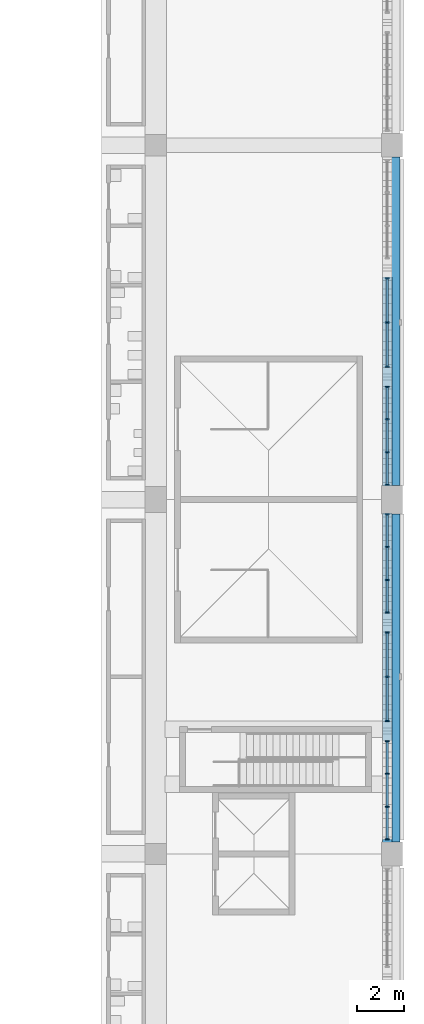
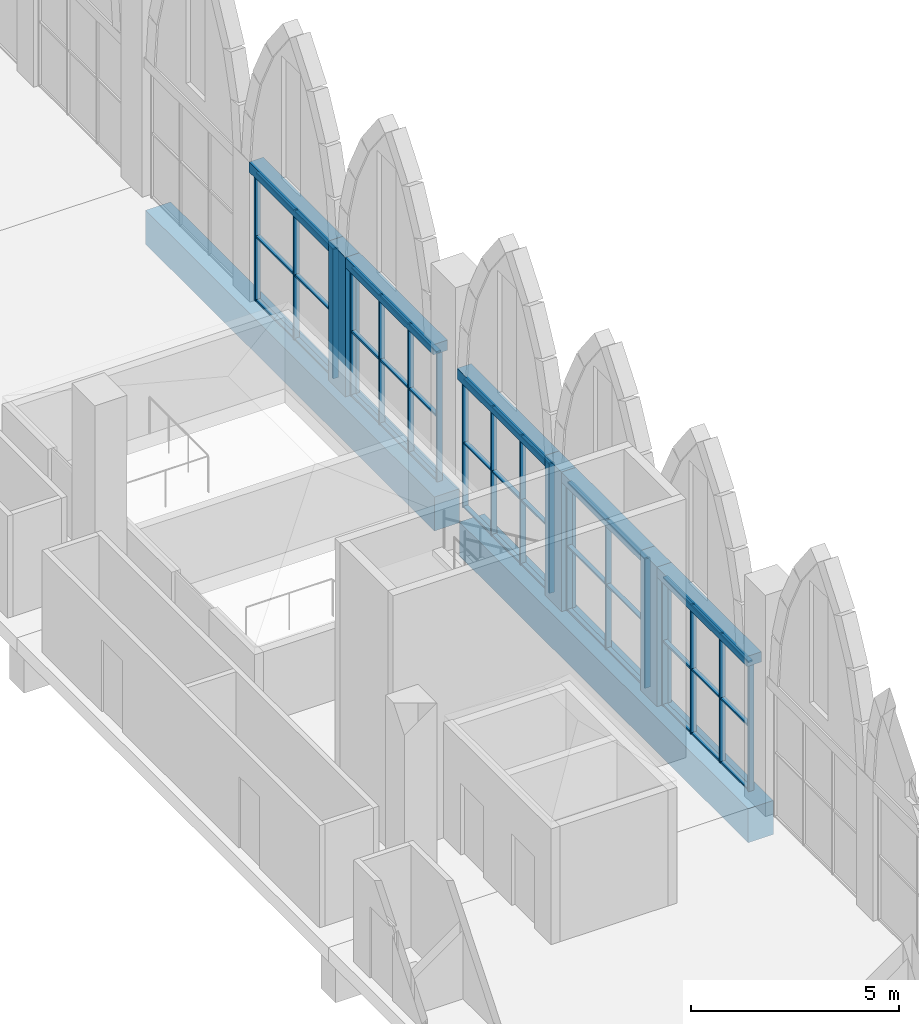
# One storey, part 27 of 130: 60 members, 7 beams, 5 elements without a shape of their own.
"""IFC4 building model written with IfcOpenShell, lengths in metres."""

import ifcopenshell
import ifcopenshell.guid

model = None  # the IFC model being written
_history = None  # IfcOwnerHistory: only IFC2X3 demands one
_inside = {}  # id of a spatial element -> (the spatial element, [elements in it])
_under = {}  # id of a project, library or spatial element -> (it, [spatial elements below it])
_declared = {}  # id of a project -> (the project, [libraries it declares])
_typed = {}  # id of a type object -> (the type object, [elements of that type])
_made_of = {}  # id of a material, layer set ... -> (it, [elements and type objects made of it])


def new_model(schema):
    """Start an empty IFC model of exactly this schema.

    Asked for "IFC4X3", IfcOpenShell would pick the latest addendum, in which some entities
    have other attributes; the version numbers below select the first issue.
    IFC2X3 requires an IfcOwnerHistory on every rooted entity: one is made here for all.
    """
    global model, _history
    if schema == "IFC4X3":
        model = ifcopenshell.file(schema_version=(4, 3, 0, 0))
    else:
        model = ifcopenshell.file(schema=schema)
    _inside.clear()
    _under.clear()
    _declared.clear()
    _typed.clear()
    _made_of.clear()
    _history = None
    if model.schema == "IFC2X3":
        org = make("IfcOrganization", Name="unknown")
        user = make(
            "IfcPersonAndOrganization",
            ThePerson=make("IfcPerson", FamilyName="unknown"),
            TheOrganization=org,
        )
        app = make(
            "IfcApplication",
            ApplicationDeveloper=org,
            Version="unknown",
            ApplicationFullName="unknown",
            ApplicationIdentifier="unknown",
        )
        _history = make(
            "IfcOwnerHistory",
            OwningUser=user,
            OwningApplication=app,
            ChangeAction="ADDED",
            CreationDate=0,
        )
    return model


def make(cls, **values):
    """One entity of the class cls with the attributes given. An attribute that is None is left unset."""
    return model.create_entity(
        cls, **{name: value for name, value in values.items() if value is not None}
    )


def rooted(cls, **values):
    """An entity with a GlobalId (a new one), such as an element, a storey or a relation."""
    return make(cls, GlobalId=ifcopenshell.guid.new(), OwnerHistory=_history, **values)


def si_unit(unit_type, name, prefix=None):
    """IfcSIUnit, for example si_unit("LENGTHUNIT", "METRE", prefix="MILLI")."""
    return make("IfcSIUnit", UnitType=unit_type, Prefix=prefix, Name=name)


def assignment(units):
    """IfcUnitAssignment: the units of a project."""
    return None if units is None else make("IfcUnitAssignment", Units=units)


def point(xyz):
    """IfcCartesianPoint."""
    return None if xyz is None else make("IfcCartesianPoint", Coordinates=xyz)


def direction(xyz):
    """IfcDirection."""
    return None if xyz is None else make("IfcDirection", DirectionRatios=xyz)


def frame(location, z_axis=None, x_axis=None):
    """IfcAxis2Placement3D, a coordinate frame: its origin and axes. An axis left out is left unset."""
    return make(
        "IfcAxis2Placement3D",
        Location=point(location),
        Axis=direction(z_axis),
        RefDirection=direction(x_axis),
    )


def frame_2d(location, x_axis=None):
    """IfcAxis2Placement2D, a coordinate frame in the plane: its origin and x axis."""
    return make(
        "IfcAxis2Placement2D", Location=point(location), RefDirection=direction(x_axis)
    )


def origin():
    """The frame at (0, 0, 0) with its axes left unset."""
    return frame((0.0, 0.0, 0.0))


def origin_2d():
    """The frame at (0, 0) in the plane with its x axis left unset."""
    return frame_2d((0.0, 0.0))


def place(relative_to, where):
    """IfcLocalPlacement: puts the frame where relative to a parent placement (None: the world)."""
    return make(
        "IfcLocalPlacement", PlacementRelTo=relative_to, RelativePlacement=where
    )


def context(
    kind, dimensions, precision=None, world=None, true_north=None, identifier=None
):
    """IfcGeometricRepresentationContext, for example the 3D "Model" context."""
    return make(
        "IfcGeometricRepresentationContext",
        ContextIdentifier=identifier,
        ContextType=kind,
        CoordinateSpaceDimension=dimensions,
        Precision=precision,
        WorldCoordinateSystem=world,
        TrueNorth=true_north,
    )


def subcontext(parent, identifier, kind, view, scale=None):
    """IfcGeometricRepresentationSubContext, for example "Body" below "Model"."""
    return make(
        "IfcGeometricRepresentationSubContext",
        ContextIdentifier=identifier,
        ContextType=kind,
        ParentContext=parent,
        TargetScale=scale,
        TargetView=view,
    )


def project(units=None, contexts=None):
    """IfcProject with its units and contexts."""
    return rooted(
        "IfcProject",
        Name="project",
        RepresentationContexts=contexts,
        UnitsInContext=assignment(units),
    )


def spatial(cls, under=None, at=None, **own):
    """A site, building, storey or space (cls), placed at a placement, below another one or the project."""
    s = rooted(cls, ObjectPlacement=at, **own)
    if under is not None:
        _under.setdefault(under.id(), (under, []))[1].append(s)
    return s


def profile(cls, at=None, kind="AREA", **sizes):
    """A parametric profile (cls). Its sizes go by their IFC names, for example OverallWidth=200.0."""
    return make(cls, ProfileType=kind, Position=at, **sizes)


def rectangle(**sizes):
    """IfcRectangleProfileDef."""
    return profile("IfcRectangleProfileDef", **sizes)


def extrude(swept, where, along, depth):
    """IfcExtrudedAreaSolid: the profile swept, set in the frame where, extruded along a direction by depth."""
    return make(
        "IfcExtrudedAreaSolid",
        SweptArea=swept,
        Position=where,
        ExtrudedDirection=direction(along),
        Depth=depth,
    )


def shape(context_of_items, identifier, shape_type, items):
    """IfcShapeRepresentation: the items that make up one representation, for example the "Body"."""
    return make(
        "IfcShapeRepresentation",
        ContextOfItems=context_of_items,
        RepresentationIdentifier=identifier,
        RepresentationType=shape_type,
        Items=items,
    )


def material(Name=None, Category=None):
    """IfcMaterial."""
    return make("IfcMaterial", Name=Name, Category=Category)


def material_profile(
    of_material, cross_section, Name=None, Category=None, Priority=None
):
    """IfcMaterialProfile: a cross section and its material."""
    return make(
        "IfcMaterialProfile",
        Name=Name,
        Material=of_material,
        Profile=cross_section,
        Priority=Priority,
        Category=Category,
    )


def profile_set(profiles, Name=None, composite=None):
    """IfcMaterialProfileSet."""
    return make(
        "IfcMaterialProfileSet",
        Name=Name,
        MaterialProfiles=profiles,
        CompositeProfile=composite,
    )


def made_of(thing, what):
    """Note that an element or type object is made of a material, layer set ...; save() writes the relation."""
    if what is not None:
        _made_of.setdefault(what.id(), (what, []))[1].append(thing)
    return thing


def type_object(cls, material=None, **own):
    """A type object (cls), such as IfcWallType, which elements share."""
    return made_of(rooted(cls, **own), material)


def element(
    cls,
    number,
    at=None,
    inside=None,
    cuts=None,
    type_object=None,
    material=None,
    context=None,
    identifier="Body",
    shape_type=None,
    held_by="IfcProductDefinitionShape",
    body=None,
    shapes=None,
    **own,
):
    """One element of the class cls, such as IfcWall. Its Tag is "e" and its number.

    at: its placement. inside: the storey or other place that contains it. cuts: it is an
    opening in that element (IfcRelVoidsElement). A single representation is given by context,
    identifier, shape_type and body (its items); several are given by shapes. held_by: the class
    of the entity that holds the representations. save() writes the other relations.
    """
    e = rooted(cls, Tag="e%d" % number, ObjectPlacement=at, **own)
    if body is not None:
        shapes = [shape(context, identifier, shape_type, body)]
    if shapes is not None:
        e.Representation = make(held_by, Representations=shapes)
    if inside is not None:
        _inside.setdefault(inside.id(), (inside, []))[1].append(e)
    if cuts is not None:
        rooted(
            "IfcRelVoidsElement", RelatingBuildingElement=cuts, RelatedOpeningElement=e
        )
    if type_object is not None:
        _typed.setdefault(type_object.id(), (type_object, []))[1].append(e)
    return made_of(e, material)


def aggregate(whole, parts):
    """IfcRelAggregates: a whole, such as a stair, and the parts it consists of."""
    return rooted("IfcRelAggregates", RelatingObject=whole, RelatedObjects=parts)


def save(model, path):
    """Write the relations noted so far, then the file.

    IfcRelAggregates (storeys below a building ...), IfcRelContainedInSpatialStructure (elements
    in a storey), IfcRelDefinesByType, IfcRelAssociatesMaterial and IfcRelDeclares: one each for
    every whole, place, type object, material and project.
    """
    for whole, parts in _under.values():
        aggregate(whole, parts)
    for where, things in _inside.values():
        rooted(
            "IfcRelContainedInSpatialStructure",
            RelatedElements=things,
            RelatingStructure=where,
        )
    for kind, things in _typed.values():
        rooted("IfcRelDefinesByType", RelatedObjects=things, RelatingType=kind)
    for what, things in _made_of.values():
        rooted("IfcRelAssociatesMaterial", RelatedObjects=things, RelatingMaterial=what)
    for by, libraries in _declared.values():
        rooted("IfcRelDeclares", RelatingContext=by, RelatedDefinitions=libraries)
    model.write(path)


model = new_model("IFC4")

# Units and contexts
model_context = context("Model", 3, precision=1e-05, world=origin(), true_north=direction((0.0, 1.0)))
body_context = subcontext(model_context, "Body", "Model", "MODEL_VIEW")
ifc_project = project(units=[si_unit("LENGTHUNIT", "METRE"), si_unit("AREAUNIT", "SQUARE_METRE"), si_unit("VOLUMEUNIT", "CUBIC_METRE"), si_unit("PLANEANGLEUNIT", "RADIAN"), si_unit("MASSUNIT", "GRAM", prefix="KILO")], contexts=[model_context])

# Site, building, storey
site_placement = place(None, origin())
site = spatial("IfcSite", under=ifc_project, at=site_placement, CompositionType="ELEMENT")
building_placement = place(site_placement, origin())
building = spatial("IfcBuilding", under=site, at=building_placement, Name="Ogive Plaza Stadium", CompositionType="ELEMENT")
storey_placement = place(building_placement, frame((0.0, 0.0, 22.5)))
storey = spatial("IfcBuildingStorey", under=building, at=storey_placement, Name="L05", CompositionType="ELEMENT", Elevation=22.5)

# Curtain wall, members
ifc_material_1 = material(Name="Bronze-anodised aluminium with laminated glass", Category="aluminium")
curtain_wall_type = type_object("IfcCurtainWallType", Name="Lancet curtain wall", PredefinedType="NOTDEFINED", material=ifc_material_1)
curtain_wall_1_placement = place(storey_placement, origin())
curtain_wall_1 = element("IfcCurtainWall", 1, at=curtain_wall_1_placement, inside=storey, type_object=curtain_wall_type, Name="CURTAIN WALL B03 L05", PredefinedType="NOTDEFINED")
ifc_material_2 = material(Name="Bronze-anodised aluminium", Category="aluminium")
ifc_material_profile_1 = material_profile(ifc_material_2, rectangle(XDim=0.14990234375, YDim=0.050048828125, at=origin_2d()), Name="AL 150x50")
ifc_profile_set_1 = profile_set([ifc_material_profile_1], Name="Bronze-anodised aluminium")
member_type_1 = type_object("IfcMemberType", Name="Curtain wall mullion 50x150", PredefinedType="MULLION", material=ifc_profile_set_1)
member_1_placement = place(storey_placement, frame((83.800048828125, 16.875, 0.0), z_axis=(0.0, 0.0, 1.0), x_axis=(1.0, 0.0, 0.0)))
member_1 = element("IfcMember", 2, at=member_1_placement, type_object=member_type_1, Name="CW-B03-L05.2 mullion 1", PredefinedType="MULLION", context=body_context, shape_type="SweptSolid", body=[
    extrude(rectangle(XDim=0.14990234375, YDim=0.050048828125, at=origin_2d()), origin(), (0.0, 0.0, 1.0), 3.800048828125),
])
member_2_placement = place(storey_placement, frame((83.800048828125, 15.0, 0.0), z_axis=(0.0, 0.0, 1.0), x_axis=(1.0, 0.0, 0.0)))
member_2 = element("IfcMember", 3, at=member_2_placement, type_object=member_type_1, Name="CW-B03-L05.2 mullion 2", PredefinedType="MULLION", context=body_context, shape_type="SweptSolid", body=[
    extrude(rectangle(XDim=0.14990234375, YDim=0.050048828125, at=origin_2d()), origin(), (0.0, 0.0, 1.0), 3.800048828125),
])
member_3_placement = place(storey_placement, frame((83.800048828125, 13.125, 0.0), z_axis=(0.0, 0.0, 1.0), x_axis=(1.0, 0.0, 0.0)))
member_3 = element("IfcMember", 4, at=member_3_placement, type_object=member_type_1, Name="CW-B03-L05.2 mullion 3", PredefinedType="MULLION", context=body_context, shape_type="SweptSolid", body=[
    extrude(rectangle(XDim=0.14990234375, YDim=0.050048828125, at=origin_2d()), origin(), (0.0, 0.0, 1.0), 3.800048828125),
])

curtain_wall_2_placement = place(storey_placement, origin())
curtain_wall_2 = element("IfcCurtainWall", 5, at=curtain_wall_2_placement, inside=storey, type_object=curtain_wall_type, Name="CURTAIN WALL B03 L05", PredefinedType="NOTDEFINED")
member_4_placement = place(storey_placement, frame((83.800048828125, 12.27490234375, 0.0), z_axis=(0.0, 0.0, 1.0), x_axis=(1.0, 0.0, 0.0)))
member_4 = element("IfcMember", 6, at=member_4_placement, type_object=member_type_1, Name="CW-B03-L05.3 mullion 1", PredefinedType="MULLION", context=body_context, shape_type="SweptSolid", body=[
    extrude(rectangle(XDim=0.14990234375, YDim=0.050048828125, at=origin_2d()), origin(), (0.0, 0.0, 1.0), 3.800048828125),
])
member_5_placement = place(storey_placement, frame((83.800048828125, 10.89990234375, 0.0), z_axis=(0.0, 0.0, 1.0), x_axis=(1.0, 0.0, 0.0)))
member_5 = element("IfcMember", 7, at=member_5_placement, type_object=member_type_1, Name="CW-B03-L05.3 mullion 2", PredefinedType="MULLION", context=body_context, shape_type="SweptSolid", body=[
    extrude(rectangle(XDim=0.14990234375, YDim=0.050048828125, at=origin_2d()), origin(), (0.0, 0.0, 1.0), 3.800048828125),
])
member_6_placement = place(storey_placement, frame((83.800048828125, 9.5, 0.0), z_axis=(0.0, 0.0, 1.0), x_axis=(1.0, 0.0, 0.0)))
member_6 = element("IfcMember", 8, at=member_6_placement, type_object=member_type_1, Name="CW-B03-L05.3 mullion 3", PredefinedType="MULLION", context=body_context, shape_type="SweptSolid", body=[
    extrude(rectangle(XDim=0.14990234375, YDim=0.050048828125, at=origin_2d()), origin(), (0.0, 0.0, 1.0), 3.800048828125),
])
member_7_placement = place(storey_placement, frame((83.800048828125, 8.125, 0.0), z_axis=(0.0, 0.0, 1.0), x_axis=(1.0, 0.0, 0.0)))
member_7 = element("IfcMember", 9, at=member_7_placement, type_object=member_type_1, Name="CW-B03-L05.3 mullion 4", PredefinedType="MULLION", context=body_context, shape_type="SweptSolid", body=[
    extrude(rectangle(XDim=0.14990234375, YDim=0.050048828125, at=origin_2d()), origin(), (0.0, 0.0, 1.0), 3.800048828125),
])

curtain_wall_3_placement = place(storey_placement, origin())
curtain_wall_3 = element("IfcCurtainWall", 10, at=curtain_wall_3_placement, inside=storey, type_object=curtain_wall_type, Name="CURTAIN WALL B04 L05", PredefinedType="NOTDEFINED")
member_8_placement = place(storey_placement, frame((83.800048828125, 6.875, 0.0), z_axis=(0.0, 0.0, 1.0), x_axis=(1.0, 0.0, 0.0)))
member_8 = element("IfcMember", 11, at=member_8_placement, type_object=member_type_1, Name="CW-B04-L05.1 mullion 1", PredefinedType="MULLION", context=body_context, shape_type="SweptSolid", body=[
    extrude(rectangle(XDim=0.14990234375, YDim=0.050048828125, at=origin_2d()), origin(), (0.0, 0.0, 1.0), 3.800048828125),
])
member_9_placement = place(storey_placement, frame((83.800048828125, 5.5, 0.0), z_axis=(0.0, 0.0, 1.0), x_axis=(1.0, 0.0, 0.0)))
member_9 = element("IfcMember", 12, at=member_9_placement, type_object=member_type_1, Name="CW-B04-L05.1 mullion 2", PredefinedType="MULLION", context=body_context, shape_type="SweptSolid", body=[
    extrude(rectangle(XDim=0.14990234375, YDim=0.050048828125, at=origin_2d()), origin(), (0.0, 0.0, 1.0), 3.800048828125),
])
member_10_placement = place(storey_placement, frame((83.800048828125, 4.10009765625, 0.0), z_axis=(0.0, 0.0, 1.0), x_axis=(1.0, 0.0, 0.0)))
member_10 = element("IfcMember", 13, at=member_10_placement, type_object=member_type_1, Name="CW-B04-L05.1 mullion 3", PredefinedType="MULLION", context=body_context, shape_type="SweptSolid", body=[
    extrude(rectangle(XDim=0.14990234375, YDim=0.050048828125, at=origin_2d()), origin(), (0.0, 0.0, 1.0), 3.800048828125),
])
member_11_placement = place(storey_placement, frame((83.800048828125, 2.72509765625, 0.0), z_axis=(0.0, 0.0, 1.0), x_axis=(1.0, 0.0, 0.0)))
member_11 = element("IfcMember", 14, at=member_11_placement, type_object=member_type_1, Name="CW-B04-L05.1 mullion 4", PredefinedType="MULLION", context=body_context, shape_type="SweptSolid", body=[
    extrude(rectangle(XDim=0.14990234375, YDim=0.050048828125, at=origin_2d()), origin(), (0.0, 0.0, 1.0), 3.800048828125),
])

curtain_wall_4_placement = place(storey_placement, origin())
curtain_wall_4 = element("IfcCurtainWall", 15, at=curtain_wall_4_placement, inside=storey, type_object=curtain_wall_type, Name="CURTAIN WALL B04 L05", PredefinedType="NOTDEFINED")
member_12_placement = place(storey_placement, frame((83.800048828125, 1.875, 0.0), z_axis=(0.0, 0.0, 1.0), x_axis=(1.0, 0.0, 0.0)))
member_12 = element("IfcMember", 16, at=member_12_placement, type_object=member_type_1, Name="CW-B04-L05.2 mullion 1", PredefinedType="MULLION", context=body_context, shape_type="SweptSolid", body=[
    extrude(rectangle(XDim=0.14990234375, YDim=0.050048828125, at=origin_2d()), origin(), (0.0, 0.0, 1.0), 3.800048828125),
])
member_13_placement = place(storey_placement, frame((83.800048828125, 0.0, 0.0), z_axis=(0.0, 0.0, 1.0), x_axis=(1.0, 0.0, 0.0)))
member_13 = element("IfcMember", 17, at=member_13_placement, type_object=member_type_1, Name="CW-B04-L05.2 mullion 2", PredefinedType="MULLION", context=body_context, shape_type="SweptSolid", body=[
    extrude(rectangle(XDim=0.14990234375, YDim=0.050048828125, at=origin_2d()), origin(), (0.0, 0.0, 1.0), 3.800048828125),
])
member_14_placement = place(storey_placement, frame((83.800048828125, -1.875, 0.0), z_axis=(0.0, 0.0, 1.0), x_axis=(1.0, 0.0, 0.0)))
member_14 = element("IfcMember", 18, at=member_14_placement, type_object=member_type_1, Name="CW-B04-L05.2 mullion 3", PredefinedType="MULLION", context=body_context, shape_type="SweptSolid", body=[
    extrude(rectangle(XDim=0.14990234375, YDim=0.050048828125, at=origin_2d()), origin(), (0.0, 0.0, 1.0), 3.800048828125),
])

curtain_wall_5_placement = place(storey_placement, origin())
curtain_wall_5 = element("IfcCurtainWall", 19, at=curtain_wall_5_placement, inside=storey, type_object=curtain_wall_type, Name="CURTAIN WALL B04 L05", PredefinedType="NOTDEFINED")
member_15_placement = place(storey_placement, frame((83.800048828125, -2.72509765625, 0.0), z_axis=(0.0, 0.0, 1.0), x_axis=(1.0, 0.0, 0.0)))
member_15 = element("IfcMember", 20, at=member_15_placement, type_object=member_type_1, Name="CW-B04-L05.3 mullion 1", PredefinedType="MULLION", context=body_context, shape_type="SweptSolid", body=[
    extrude(rectangle(XDim=0.14990234375, YDim=0.050048828125, at=origin_2d()), origin(), (0.0, 0.0, 1.0), 3.800048828125),
])
member_16_placement = place(storey_placement, frame((83.800048828125, -4.10009765625, 0.0), z_axis=(0.0, 0.0, 1.0), x_axis=(1.0, 0.0, 0.0)))
member_16 = element("IfcMember", 21, at=member_16_placement, type_object=member_type_1, Name="CW-B04-L05.3 mullion 2", PredefinedType="MULLION", context=body_context, shape_type="SweptSolid", body=[
    extrude(rectangle(XDim=0.14990234375, YDim=0.050048828125, at=origin_2d()), origin(), (0.0, 0.0, 1.0), 3.800048828125),
])
member_17_placement = place(storey_placement, frame((83.800048828125, -5.5, 0.0), z_axis=(0.0, 0.0, 1.0), x_axis=(1.0, 0.0, 0.0)))
member_17 = element("IfcMember", 22, at=member_17_placement, type_object=member_type_1, Name="CW-B04-L05.3 mullion 3", PredefinedType="MULLION", context=body_context, shape_type="SweptSolid", body=[
    extrude(rectangle(XDim=0.14990234375, YDim=0.050048828125, at=origin_2d()), origin(), (0.0, 0.0, 1.0), 3.800048828125),
])
member_18_placement = place(storey_placement, frame((83.800048828125, -6.875, 0.0), z_axis=(0.0, 0.0, 1.0), x_axis=(1.0, 0.0, 0.0)))
member_18 = element("IfcMember", 23, at=member_18_placement, type_object=member_type_1, Name="CW-B04-L05.3 mullion 4", PredefinedType="MULLION", context=body_context, shape_type="SweptSolid", body=[
    extrude(rectangle(XDim=0.14990234375, YDim=0.050048828125, at=origin_2d()), origin(), (0.0, 0.0, 1.0), 3.800048828125),
])

# Member
ifc_material_3 = material(Name="Bronze-anodised aluminium", Category="aluminium")
ifc_material_profile_2 = material_profile(ifc_material_3, rectangle(XDim=0.1201171875, YDim=0.050048828125, at=origin_2d()), Name="AL 120x50")
ifc_profile_set_2 = profile_set([ifc_material_profile_2], Name="Bronze-anodised aluminium")
member_type_2 = type_object("IfcMemberType", Name="Curtain wall transom 50x120", PredefinedType="USERDEFINED", material=ifc_profile_set_2)
member_19_placement = place(storey_placement, frame((83.800048828125, 16.85009765625, 0.02490234375), z_axis=(0.0, -1.0, 0.0), x_axis=(1.0, 0.0, 0.0)))
member_19 = element("IfcMember", 24, at=member_19_placement, type_object=member_type_2, Name="CW-B03-L05.2 transom 1.1", ObjectType="TRANSOM", PredefinedType="USERDEFINED", context=body_context, shape_type="SweptSolid", body=[
    extrude(rectangle(XDim=0.1201171875, YDim=0.050048828125, at=origin_2d()), origin(), (0.0, 0.0, 1.0), 1.8251953125),
])

member_20_placement = place(storey_placement, frame((83.800048828125, 16.85009765625, 1.89990234375), z_axis=(0.0, -1.0, 0.0), x_axis=(1.0, 0.0, 0.0)))
member_20 = element("IfcMember", 25, at=member_20_placement, type_object=member_type_2, Name="CW-B03-L05.2 transom 1.2", ObjectType="TRANSOM", PredefinedType="USERDEFINED", context=body_context, shape_type="SweptSolid", body=[
    extrude(rectangle(XDim=0.1201171875, YDim=0.050048828125, at=origin_2d()), origin(), (0.0, 0.0, 1.0), 1.8251953125),
])

member_21_placement = place(storey_placement, frame((83.800048828125, 16.85009765625, 3.77490234375), z_axis=(0.0, -1.0, 0.0), x_axis=(1.0, 0.0, 0.0)))
member_21 = element("IfcMember", 26, at=member_21_placement, type_object=member_type_2, Name="CW-B03-L05.2 transom 1.3", ObjectType="TRANSOM", PredefinedType="USERDEFINED", context=body_context, shape_type="SweptSolid", body=[
    extrude(rectangle(XDim=0.1201171875, YDim=0.050048828125, at=origin_2d()), origin(), (0.0, 0.0, 1.0), 1.8251953125),
])

member_22_placement = place(storey_placement, frame((83.800048828125, 14.97509765625, 0.02490234375), z_axis=(0.0, -1.0, 0.0), x_axis=(1.0, 0.0, 0.0)))
member_22 = element("IfcMember", 27, at=member_22_placement, type_object=member_type_2, Name="CW-B03-L05.2 transom 2.1", ObjectType="TRANSOM", PredefinedType="USERDEFINED", context=body_context, shape_type="SweptSolid", body=[
    extrude(rectangle(XDim=0.1201171875, YDim=0.050048828125, at=origin_2d()), origin(), (0.0, 0.0, 1.0), 1.8251953125),
])

member_23_placement = place(storey_placement, frame((83.800048828125, 14.97509765625, 1.89990234375), z_axis=(0.0, -1.0, 0.0), x_axis=(1.0, 0.0, 0.0)))
member_23 = element("IfcMember", 28, at=member_23_placement, type_object=member_type_2, Name="CW-B03-L05.2 transom 2.2", ObjectType="TRANSOM", PredefinedType="USERDEFINED", context=body_context, shape_type="SweptSolid", body=[
    extrude(rectangle(XDim=0.1201171875, YDim=0.050048828125, at=origin_2d()), origin(), (0.0, 0.0, 1.0), 1.8251953125),
])

member_24_placement = place(storey_placement, frame((83.800048828125, 14.97509765625, 3.77490234375), z_axis=(0.0, -1.0, 0.0), x_axis=(1.0, 0.0, 0.0)))
member_24 = element("IfcMember", 29, at=member_24_placement, type_object=member_type_2, Name="CW-B03-L05.2 transom 2.3", ObjectType="TRANSOM", PredefinedType="USERDEFINED", context=body_context, shape_type="SweptSolid", body=[
    extrude(rectangle(XDim=0.1201171875, YDim=0.050048828125, at=origin_2d()), origin(), (0.0, 0.0, 1.0), 1.8251953125),
])

aggregate(curtain_wall_1, [member_1, member_2, member_3, member_19, member_20, member_21, member_22, member_23, member_24])

member_25_placement = place(storey_placement, frame((83.800048828125, 12.25, 0.02490234375), z_axis=(0.0, -1.0, 0.0), x_axis=(1.0, 0.0, 0.0)))
member_25 = element("IfcMember", 30, at=member_25_placement, type_object=member_type_2, Name="CW-B03-L05.3 transom 1.1", ObjectType="TRANSOM", PredefinedType="USERDEFINED", context=body_context, shape_type="SweptSolid", body=[
    extrude(rectangle(XDim=0.1201171875, YDim=0.050048828125, at=origin_2d()), origin(), (0.0, 0.0, 1.0), 1.324951171875),
])

member_26_placement = place(storey_placement, frame((83.800048828125, 12.25, 1.89990234375), z_axis=(0.0, -1.0, 0.0), x_axis=(1.0, 0.0, 0.0)))
member_26 = element("IfcMember", 31, at=member_26_placement, type_object=member_type_2, Name="CW-B03-L05.3 transom 1.2", ObjectType="TRANSOM", PredefinedType="USERDEFINED", context=body_context, shape_type="SweptSolid", body=[
    extrude(rectangle(XDim=0.1201171875, YDim=0.050048828125, at=origin_2d()), origin(), (0.0, 0.0, 1.0), 1.324951171875),
])

member_27_placement = place(storey_placement, frame((83.800048828125, 12.25, 3.77490234375), z_axis=(0.0, -1.0, 0.0), x_axis=(1.0, 0.0, 0.0)))
member_27 = element("IfcMember", 32, at=member_27_placement, type_object=member_type_2, Name="CW-B03-L05.3 transom 1.3", ObjectType="TRANSOM", PredefinedType="USERDEFINED", context=body_context, shape_type="SweptSolid", body=[
    extrude(rectangle(XDim=0.1201171875, YDim=0.050048828125, at=origin_2d()), origin(), (0.0, 0.0, 1.0), 1.324951171875),
])

member_28_placement = place(storey_placement, frame((83.800048828125, 10.875, 0.02490234375), z_axis=(0.0, -1.0, 0.0), x_axis=(1.0, 0.0, 0.0)))
member_28 = element("IfcMember", 33, at=member_28_placement, type_object=member_type_2, Name="CW-B03-L05.3 transom 2.1", ObjectType="TRANSOM", PredefinedType="USERDEFINED", context=body_context, shape_type="SweptSolid", body=[
    extrude(rectangle(XDim=0.1201171875, YDim=0.050048828125, at=origin_2d()), origin(), (0.0, 0.0, 1.0), 1.35009765625),
])

member_29_placement = place(storey_placement, frame((83.800048828125, 10.875, 1.89990234375), z_axis=(0.0, -1.0, 0.0), x_axis=(1.0, 0.0, 0.0)))
member_29 = element("IfcMember", 34, at=member_29_placement, type_object=member_type_2, Name="CW-B03-L05.3 transom 2.2", ObjectType="TRANSOM", PredefinedType="USERDEFINED", context=body_context, shape_type="SweptSolid", body=[
    extrude(rectangle(XDim=0.1201171875, YDim=0.050048828125, at=origin_2d()), origin(), (0.0, 0.0, 1.0), 1.35009765625),
])

member_30_placement = place(storey_placement, frame((83.800048828125, 10.875, 3.77490234375), z_axis=(0.0, -1.0, 0.0), x_axis=(1.0, 0.0, 0.0)))
member_30 = element("IfcMember", 35, at=member_30_placement, type_object=member_type_2, Name="CW-B03-L05.3 transom 2.3", ObjectType="TRANSOM", PredefinedType="USERDEFINED", context=body_context, shape_type="SweptSolid", body=[
    extrude(rectangle(XDim=0.1201171875, YDim=0.050048828125, at=origin_2d()), origin(), (0.0, 0.0, 1.0), 1.35009765625),
])

member_31_placement = place(storey_placement, frame((83.800048828125, 9.47509765625, 0.02490234375), z_axis=(0.0, -1.0, 0.0), x_axis=(1.0, 0.0, 0.0)))
member_31 = element("IfcMember", 36, at=member_31_placement, type_object=member_type_2, Name="CW-B03-L05.3 transom 3.1", ObjectType="TRANSOM", PredefinedType="USERDEFINED", context=body_context, shape_type="SweptSolid", body=[
    extrude(rectangle(XDim=0.1201171875, YDim=0.050048828125, at=origin_2d()), origin(), (0.0, 0.0, 1.0), 1.3251953125),
])

member_32_placement = place(storey_placement, frame((83.800048828125, 9.47509765625, 1.89990234375), z_axis=(0.0, -1.0, 0.0), x_axis=(1.0, 0.0, 0.0)))
member_32 = element("IfcMember", 37, at=member_32_placement, type_object=member_type_2, Name="CW-B03-L05.3 transom 3.2", ObjectType="TRANSOM", PredefinedType="USERDEFINED", context=body_context, shape_type="SweptSolid", body=[
    extrude(rectangle(XDim=0.1201171875, YDim=0.050048828125, at=origin_2d()), origin(), (0.0, 0.0, 1.0), 1.3251953125),
])

member_33_placement = place(storey_placement, frame((83.800048828125, 9.47509765625, 3.77490234375), z_axis=(0.0, -1.0, 0.0), x_axis=(1.0, 0.0, 0.0)))
member_33 = element("IfcMember", 38, at=member_33_placement, type_object=member_type_2, Name="CW-B03-L05.3 transom 3.3", ObjectType="TRANSOM", PredefinedType="USERDEFINED", context=body_context, shape_type="SweptSolid", body=[
    extrude(rectangle(XDim=0.1201171875, YDim=0.050048828125, at=origin_2d()), origin(), (0.0, 0.0, 1.0), 1.3251953125),
])

aggregate(curtain_wall_2, [member_4, member_5, member_6, member_7, member_25, member_26, member_27, member_28, member_29, member_30, member_31, member_32, member_33])

member_34_placement = place(storey_placement, frame((83.800048828125, 6.85009765625, 0.02490234375), z_axis=(0.0, -1.0, 0.0), x_axis=(1.0, 0.0, 0.0)))
member_34 = element("IfcMember", 39, at=member_34_placement, type_object=member_type_2, Name="CW-B04-L05.1 transom 1.1", ObjectType="TRANSOM", PredefinedType="USERDEFINED", context=body_context, shape_type="SweptSolid", body=[
    extrude(rectangle(XDim=0.1201171875, YDim=0.050048828125, at=origin_2d()), origin(), (0.0, 0.0, 1.0), 1.3251953125),
])

member_35_placement = place(storey_placement, frame((83.800048828125, 6.85009765625, 1.89990234375), z_axis=(0.0, -1.0, 0.0), x_axis=(1.0, 0.0, 0.0)))
member_35 = element("IfcMember", 40, at=member_35_placement, type_object=member_type_2, Name="CW-B04-L05.1 transom 1.2", ObjectType="TRANSOM", PredefinedType="USERDEFINED", context=body_context, shape_type="SweptSolid", body=[
    extrude(rectangle(XDim=0.1201171875, YDim=0.050048828125, at=origin_2d()), origin(), (0.0, 0.0, 1.0), 1.3251953125),
])

member_36_placement = place(storey_placement, frame((83.800048828125, 6.85009765625, 3.77490234375), z_axis=(0.0, -1.0, 0.0), x_axis=(1.0, 0.0, 0.0)))
member_36 = element("IfcMember", 41, at=member_36_placement, type_object=member_type_2, Name="CW-B04-L05.1 transom 1.3", ObjectType="TRANSOM", PredefinedType="USERDEFINED", context=body_context, shape_type="SweptSolid", body=[
    extrude(rectangle(XDim=0.1201171875, YDim=0.050048828125, at=origin_2d()), origin(), (0.0, 0.0, 1.0), 1.3251953125),
])

member_37_placement = place(storey_placement, frame((83.800048828125, 5.47509765625, 0.02490234375), z_axis=(0.0, -1.0, 0.0), x_axis=(1.0, 0.0, 0.0)))
member_37 = element("IfcMember", 42, at=member_37_placement, type_object=member_type_2, Name="CW-B04-L05.1 transom 2.1", ObjectType="TRANSOM", PredefinedType="USERDEFINED", context=body_context, shape_type="SweptSolid", body=[
    extrude(rectangle(XDim=0.1201171875, YDim=0.050048828125, at=origin_2d()), origin(), (0.0, 0.0, 1.0), 1.35009765625),
])

member_38_placement = place(storey_placement, frame((83.800048828125, 5.47509765625, 1.89990234375), z_axis=(0.0, -1.0, 0.0), x_axis=(1.0, 0.0, 0.0)))
member_38 = element("IfcMember", 43, at=member_38_placement, type_object=member_type_2, Name="CW-B04-L05.1 transom 2.2", ObjectType="TRANSOM", PredefinedType="USERDEFINED", context=body_context, shape_type="SweptSolid", body=[
    extrude(rectangle(XDim=0.1201171875, YDim=0.050048828125, at=origin_2d()), origin(), (0.0, 0.0, 1.0), 1.35009765625),
])

member_39_placement = place(storey_placement, frame((83.800048828125, 5.47509765625, 3.77490234375), z_axis=(0.0, -1.0, 0.0), x_axis=(1.0, 0.0, 0.0)))
member_39 = element("IfcMember", 44, at=member_39_placement, type_object=member_type_2, Name="CW-B04-L05.1 transom 2.3", ObjectType="TRANSOM", PredefinedType="USERDEFINED", context=body_context, shape_type="SweptSolid", body=[
    extrude(rectangle(XDim=0.1201171875, YDim=0.050048828125, at=origin_2d()), origin(), (0.0, 0.0, 1.0), 1.35009765625),
])

member_40_placement = place(storey_placement, frame((83.800048828125, 4.074951171875, 0.02490234375), z_axis=(0.0, -1.0, 0.0), x_axis=(1.0, 0.0, 0.0)))
member_40 = element("IfcMember", 45, at=member_40_placement, type_object=member_type_2, Name="CW-B04-L05.1 transom 3.1", ObjectType="TRANSOM", PredefinedType="USERDEFINED", context=body_context, shape_type="SweptSolid", body=[
    extrude(rectangle(XDim=0.1201171875, YDim=0.050048828125, at=origin_2d()), origin(), (0.0, 0.0, 1.0), 1.324951171875),
])

member_41_placement = place(storey_placement, frame((83.800048828125, 4.074951171875, 1.89990234375), z_axis=(0.0, -1.0, 0.0), x_axis=(1.0, 0.0, 0.0)))
member_41 = element("IfcMember", 46, at=member_41_placement, type_object=member_type_2, Name="CW-B04-L05.1 transom 3.2", ObjectType="TRANSOM", PredefinedType="USERDEFINED", context=body_context, shape_type="SweptSolid", body=[
    extrude(rectangle(XDim=0.1201171875, YDim=0.050048828125, at=origin_2d()), origin(), (0.0, 0.0, 1.0), 1.324951171875),
])

member_42_placement = place(storey_placement, frame((83.800048828125, 4.074951171875, 3.77490234375), z_axis=(0.0, -1.0, 0.0), x_axis=(1.0, 0.0, 0.0)))
member_42 = element("IfcMember", 47, at=member_42_placement, type_object=member_type_2, Name="CW-B04-L05.1 transom 3.3", ObjectType="TRANSOM", PredefinedType="USERDEFINED", context=body_context, shape_type="SweptSolid", body=[
    extrude(rectangle(XDim=0.1201171875, YDim=0.050048828125, at=origin_2d()), origin(), (0.0, 0.0, 1.0), 1.324951171875),
])

aggregate(curtain_wall_3, [member_8, member_9, member_10, member_11, member_34, member_35, member_36, member_37, member_38, member_39, member_40, member_41, member_42])

member_43_placement = place(storey_placement, frame((83.800048828125, 1.85009765625, 0.02490234375), z_axis=(0.0, -1.0, 0.0), x_axis=(1.0, 0.0, 0.0)))
member_43 = element("IfcMember", 48, at=member_43_placement, type_object=member_type_2, Name="CW-B04-L05.2 transom 1.1", ObjectType="TRANSOM", PredefinedType="USERDEFINED", context=body_context, shape_type="SweptSolid", body=[
    extrude(rectangle(XDim=0.1201171875, YDim=0.050048828125, at=origin_2d()), origin(), (0.0, 0.0, 1.0), 1.8251953125),
])

member_44_placement = place(storey_placement, frame((83.800048828125, 1.85009765625, 1.89990234375), z_axis=(0.0, -1.0, 0.0), x_axis=(1.0, 0.0, 0.0)))
member_44 = element("IfcMember", 49, at=member_44_placement, type_object=member_type_2, Name="CW-B04-L05.2 transom 1.2", ObjectType="TRANSOM", PredefinedType="USERDEFINED", context=body_context, shape_type="SweptSolid", body=[
    extrude(rectangle(XDim=0.1201171875, YDim=0.050048828125, at=origin_2d()), origin(), (0.0, 0.0, 1.0), 1.8251953125),
])

member_45_placement = place(storey_placement, frame((83.800048828125, 1.85009765625, 3.77490234375), z_axis=(0.0, -1.0, 0.0), x_axis=(1.0, 0.0, 0.0)))
member_45 = element("IfcMember", 50, at=member_45_placement, type_object=member_type_2, Name="CW-B04-L05.2 transom 1.3", ObjectType="TRANSOM", PredefinedType="USERDEFINED", context=body_context, shape_type="SweptSolid", body=[
    extrude(rectangle(XDim=0.1201171875, YDim=0.050048828125, at=origin_2d()), origin(), (0.0, 0.0, 1.0), 1.8251953125),
])

member_46_placement = place(storey_placement, frame((83.800048828125, -0.02490234375, 0.02490234375), z_axis=(0.0, -1.0, 0.0), x_axis=(1.0, 0.0, 0.0)))
member_46 = element("IfcMember", 51, at=member_46_placement, type_object=member_type_2, Name="CW-B04-L05.2 transom 2.1", ObjectType="TRANSOM", PredefinedType="USERDEFINED", context=body_context, shape_type="SweptSolid", body=[
    extrude(rectangle(XDim=0.1201171875, YDim=0.050048828125, at=origin_2d()), origin(), (0.0, 0.0, 1.0), 1.8251953125),
])

member_47_placement = place(storey_placement, frame((83.800048828125, -0.02490234375, 1.89990234375), z_axis=(0.0, -1.0, 0.0), x_axis=(1.0, 0.0, 0.0)))
member_47 = element("IfcMember", 52, at=member_47_placement, type_object=member_type_2, Name="CW-B04-L05.2 transom 2.2", ObjectType="TRANSOM", PredefinedType="USERDEFINED", context=body_context, shape_type="SweptSolid", body=[
    extrude(rectangle(XDim=0.1201171875, YDim=0.050048828125, at=origin_2d()), origin(), (0.0, 0.0, 1.0), 1.8251953125),
])

member_48_placement = place(storey_placement, frame((83.800048828125, -0.02490234375, 3.77490234375), z_axis=(0.0, -1.0, 0.0), x_axis=(1.0, 0.0, 0.0)))
member_48 = element("IfcMember", 53, at=member_48_placement, type_object=member_type_2, Name="CW-B04-L05.2 transom 2.3", ObjectType="TRANSOM", PredefinedType="USERDEFINED", context=body_context, shape_type="SweptSolid", body=[
    extrude(rectangle(XDim=0.1201171875, YDim=0.050048828125, at=origin_2d()), origin(), (0.0, 0.0, 1.0), 1.8251953125),
])

aggregate(curtain_wall_4, [member_12, member_13, member_14, member_43, member_44, member_45, member_46, member_47, member_48])

member_49_placement = place(storey_placement, frame((83.800048828125, -2.75, 0.02490234375), z_axis=(0.0, -1.0, 0.0), x_axis=(1.0, 0.0, 0.0)))
member_49 = element("IfcMember", 54, at=member_49_placement, type_object=member_type_2, Name="CW-B04-L05.3 transom 1.1", ObjectType="TRANSOM", PredefinedType="USERDEFINED", context=body_context, shape_type="SweptSolid", body=[
    extrude(rectangle(XDim=0.1201171875, YDim=0.050048828125, at=origin_2d()), origin(), (0.0, 0.0, 1.0), 1.324951171875),
])

member_50_placement = place(storey_placement, frame((83.800048828125, -2.75, 1.89990234375), z_axis=(0.0, -1.0, 0.0), x_axis=(1.0, 0.0, 0.0)))
member_50 = element("IfcMember", 55, at=member_50_placement, type_object=member_type_2, Name="CW-B04-L05.3 transom 1.2", ObjectType="TRANSOM", PredefinedType="USERDEFINED", context=body_context, shape_type="SweptSolid", body=[
    extrude(rectangle(XDim=0.1201171875, YDim=0.050048828125, at=origin_2d()), origin(), (0.0, 0.0, 1.0), 1.324951171875),
])

member_51_placement = place(storey_placement, frame((83.800048828125, -2.75, 3.77490234375), z_axis=(0.0, -1.0, 0.0), x_axis=(1.0, 0.0, 0.0)))
member_51 = element("IfcMember", 56, at=member_51_placement, type_object=member_type_2, Name="CW-B04-L05.3 transom 1.3", ObjectType="TRANSOM", PredefinedType="USERDEFINED", context=body_context, shape_type="SweptSolid", body=[
    extrude(rectangle(XDim=0.1201171875, YDim=0.050048828125, at=origin_2d()), origin(), (0.0, 0.0, 1.0), 1.324951171875),
])

member_52_placement = place(storey_placement, frame((83.800048828125, -4.125, 0.02490234375), z_axis=(0.0, -1.0, 0.0), x_axis=(1.0, 0.0, 0.0)))
member_52 = element("IfcMember", 57, at=member_52_placement, type_object=member_type_2, Name="CW-B04-L05.3 transom 2.1", ObjectType="TRANSOM", PredefinedType="USERDEFINED", context=body_context, shape_type="SweptSolid", body=[
    extrude(rectangle(XDim=0.1201171875, YDim=0.050048828125, at=origin_2d()), origin(), (0.0, 0.0, 1.0), 1.35009765625),
])

member_53_placement = place(storey_placement, frame((83.800048828125, -4.125, 1.89990234375), z_axis=(0.0, -1.0, 0.0), x_axis=(1.0, 0.0, 0.0)))
member_53 = element("IfcMember", 58, at=member_53_placement, type_object=member_type_2, Name="CW-B04-L05.3 transom 2.2", ObjectType="TRANSOM", PredefinedType="USERDEFINED", context=body_context, shape_type="SweptSolid", body=[
    extrude(rectangle(XDim=0.1201171875, YDim=0.050048828125, at=origin_2d()), origin(), (0.0, 0.0, 1.0), 1.35009765625),
])

member_54_placement = place(storey_placement, frame((83.800048828125, -4.125, 3.77490234375), z_axis=(0.0, -1.0, 0.0), x_axis=(1.0, 0.0, 0.0)))
member_54 = element("IfcMember", 59, at=member_54_placement, type_object=member_type_2, Name="CW-B04-L05.3 transom 2.3", ObjectType="TRANSOM", PredefinedType="USERDEFINED", context=body_context, shape_type="SweptSolid", body=[
    extrude(rectangle(XDim=0.1201171875, YDim=0.050048828125, at=origin_2d()), origin(), (0.0, 0.0, 1.0), 1.35009765625),
])

member_55_placement = place(storey_placement, frame((83.800048828125, -5.52490234375, 0.02490234375), z_axis=(0.0, -1.0, 0.0), x_axis=(1.0, 0.0, 0.0)))
member_55 = element("IfcMember", 60, at=member_55_placement, type_object=member_type_2, Name="CW-B04-L05.3 transom 3.1", ObjectType="TRANSOM", PredefinedType="USERDEFINED", context=body_context, shape_type="SweptSolid", body=[
    extrude(rectangle(XDim=0.1201171875, YDim=0.050048828125, at=origin_2d()), origin(), (0.0, 0.0, 1.0), 1.3251953125),
])

member_56_placement = place(storey_placement, frame((83.800048828125, -5.52490234375, 1.89990234375), z_axis=(0.0, -1.0, 0.0), x_axis=(1.0, 0.0, 0.0)))
member_56 = element("IfcMember", 61, at=member_56_placement, type_object=member_type_2, Name="CW-B04-L05.3 transom 3.2", ObjectType="TRANSOM", PredefinedType="USERDEFINED", context=body_context, shape_type="SweptSolid", body=[
    extrude(rectangle(XDim=0.1201171875, YDim=0.050048828125, at=origin_2d()), origin(), (0.0, 0.0, 1.0), 1.3251953125),
])

member_57_placement = place(storey_placement, frame((83.800048828125, -5.52490234375, 3.77490234375), z_axis=(0.0, -1.0, 0.0), x_axis=(1.0, 0.0, 0.0)))
member_57 = element("IfcMember", 62, at=member_57_placement, type_object=member_type_2, Name="CW-B04-L05.3 transom 3.3", ObjectType="TRANSOM", PredefinedType="USERDEFINED", context=body_context, shape_type="SweptSolid", body=[
    extrude(rectangle(XDim=0.1201171875, YDim=0.050048828125, at=origin_2d()), origin(), (0.0, 0.0, 1.0), 1.3251953125),
])

aggregate(curtain_wall_5, [member_15, member_16, member_17, member_18, member_49, member_50, member_51, member_52, member_53, member_54, member_55, member_56, member_57])

# Members
ifc_material_4 = material(Name="Concrete C45/55 precast", Category="concrete")
ifc_material_profile_3 = material_profile(ifc_material_4, rectangle(XDim=0.39990234375, YDim=0.800048828125, at=origin_2d()), Name="RC 400x800")
ifc_profile_set_3 = profile_set([ifc_material_profile_3], Name="Concrete C45/55 precast")
member_type_3 = type_object("IfcMemberType", Name="Precast colonette 800x400", PredefinedType="POST", material=ifc_profile_set_3)
for number, where, z_axis, x_axis, name in (
    (63, (83.800048828125, 12.699951171875, 0.0), (0.0, 0.0, 1.0), (1.0, 0.0, 0.0), "COLONETTE B03 2"),
    (64, (83.800048828125, 2.300048828125, 0.0), (0.0, 0.0, 1.0), (1.0, 0.0, 0.0), "COLONETTE B04 1"),
    (65, (83.800048828125, -2.300048828125, 0.0), (0.0, 0.0, 1.0), (1.0, 0.0, 0.0), "COLONETTE B04 2"),
):
    element("IfcMember", number, at=place(storey_placement, frame(where, z_axis=z_axis, x_axis=x_axis)), inside=storey, type_object=member_type_3, Name=name, PredefinedType="POST", context=body_context, shape_type="SweptSolid", body=[
        extrude(rectangle(XDim=0.39990234375, YDim=0.800048828125, at=origin_2d()), origin(), (0.0, 0.0, 1.0), 4.10009765625),
    ])

# Beams
ifc_material_5 = material(Name="Concrete C45/55 precast", Category="concrete")
ifc_material_profile_4 = material_profile(ifc_material_5, rectangle(XDim=0.39990234375, YDim=0.300048828125, at=origin_2d()), Name="RC 400x300")
ifc_profile_set_4 = profile_set([ifc_material_profile_4], Name="Concrete C45/55 precast")
beam_type_1 = type_object("IfcBeamType", Name="Precast tympanum lintel 400x300", PredefinedType="BEAM", material=ifc_profile_set_4)
beam_1_placement = place(storey_placement, frame((83.800048828125, 16.929931640625, 3.949951171875), z_axis=(0.0, -1.0, 0.0), x_axis=(1.0, 0.0, 0.0)))
element("IfcBeam", 66, at=beam_1_placement, inside=storey, type_object=beam_type_1, Name="TYMPANUM LINTEL B03 2", PredefinedType="BEAM", context=body_context, shape_type="SweptSolid", body=[
    extrude(rectangle(XDim=0.39990234375, YDim=0.300048828125, at=origin_2d()), origin(), (0.0, 0.0, 1.0), 3.85986328125),
])
for number, where, z_axis, x_axis, name in (
    (67, (83.800048828125, 12.330078125, 3.949951171875), (0.0, -1.0, 0.0), (1.0, 0.0, 0.0), "TYMPANUM LINTEL B03 3"),
    (68, (83.800048828125, 6.929931640625, 3.949951171875), (0.0, -1.0, 0.0), (1.0, 0.0, 0.0), "TYMPANUM LINTEL B04 1"),
):
    element("IfcBeam", number, at=place(storey_placement, frame(where, z_axis=z_axis, x_axis=x_axis)), inside=storey, type_object=beam_type_1, Name=name, PredefinedType="BEAM", context=body_context, shape_type="SweptSolid", body=[
        extrude(rectangle(XDim=0.39990234375, YDim=0.300048828125, at=origin_2d()), origin(), (0.0, 0.0, 1.0), 4.260009765625),
    ])
beam_2_placement = place(storey_placement, frame((83.800048828125, 1.929931640625, 3.949951171875), z_axis=(0.0, -1.0, 0.0), x_axis=(1.0, 0.0, 0.0)))
element("IfcBeam", 69, at=beam_2_placement, inside=storey, type_object=beam_type_1, Name="TYMPANUM LINTEL B04 2", PredefinedType="BEAM", context=body_context, shape_type="SweptSolid", body=[
    extrude(rectangle(XDim=0.39990234375, YDim=0.300048828125, at=origin_2d()), origin(), (0.0, 0.0, 1.0), 3.85986328125),
])
beam_3_placement = place(storey_placement, frame((83.800048828125, -2.669921875, 3.949951171875), z_axis=(0.0, -1.0, 0.0), x_axis=(1.0, 0.0, 0.0)))
element("IfcBeam", 70, at=beam_3_placement, inside=storey, type_object=beam_type_1, Name="TYMPANUM LINTEL B04 3", PredefinedType="BEAM", context=body_context, shape_type="SweptSolid", body=[
    extrude(rectangle(XDim=0.39990234375, YDim=0.300048828125, at=origin_2d()), origin(), (0.0, 0.0, 1.0), 4.360107421875),
])
ifc_material_6 = material(Name="Concrete C40/50", Category="concrete")
ifc_material_profile_5 = material_profile(ifc_material_6, rectangle(XDim=0.699951171875, YDim=1.0, at=origin_2d()), Name="RC 700x1000")
ifc_profile_set_5 = profile_set([ifc_material_profile_5], Name="Concrete C40/50")
beam_type_2 = type_object("IfcBeamType", Name="RC spandrel beam 700x1000", PredefinedType="SPANDREL", material=ifc_profile_set_5)
for number, where, z_axis, x_axis, name in (
    (71, (84.0, 22.0, -0.909912109375), (0.0, -1.0, 0.0), (1.0, 0.0, 0.0), "Ring beam F5 L05 B03"),
    (72, (84.0, 6.89990234375, -0.909912109375), (0.0, -1.0, 0.0), (1.0, 0.0, 0.0), "Ring beam F5 L05 B04"),
):
    element("IfcBeam", number, at=place(storey_placement, frame(where, z_axis=z_axis, x_axis=x_axis)), inside=storey, type_object=beam_type_2, Name=name, PredefinedType="SPANDREL", context=body_context, shape_type="SweptSolid", body=[
        extrude(rectangle(XDim=0.699951171875, YDim=1.0, at=origin_2d()), origin(), (0.0, 0.0, 1.0), 13.89990234375),
    ])

save(model, "model.ifc")
